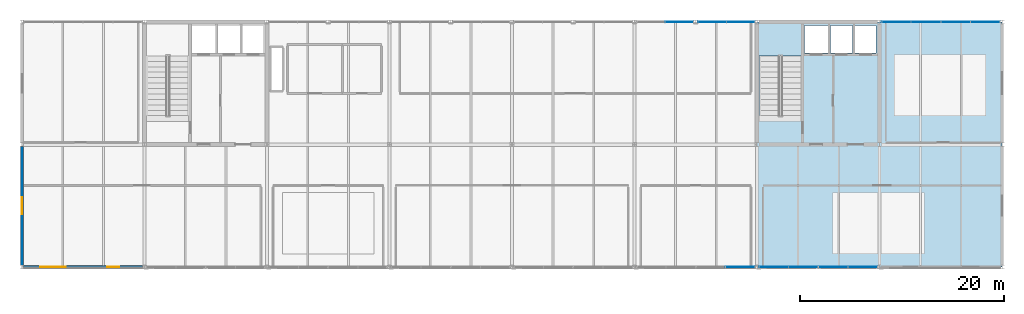
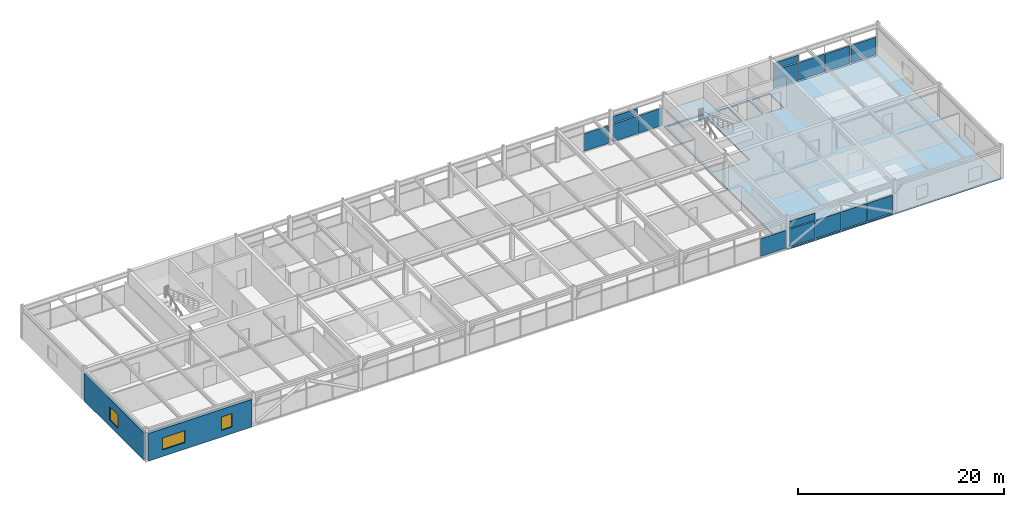
# One storey, part 35 of 40: 15 plates, 3 windows, 2 slabs, 2 walls, 3 openings, 6 elements without a shape of their own.
"""IFC4 building model written with IfcOpenShell, lengths in metres."""

from ifc_helpers import new_model, si_unit, direction, frame, frame_2d, origin, origin_2d, place, context, subcontext, project, spatial, polyline, rectangle, outline, extrude, material, layer, layer_set, type_object, element, fill, aggregate, save


model = new_model("IFC4")

# Units and contexts
model_context = context("Model", 3, precision=1e-05, world=origin(), true_north=direction((0.0, 1.0)))
body_context = subcontext(model_context, "Body", "Model", "MODEL_VIEW")
ifc_project = project(units=[si_unit("LENGTHUNIT", "METRE"), si_unit("AREAUNIT", "SQUARE_METRE"), si_unit("VOLUMEUNIT", "CUBIC_METRE"), si_unit("PLANEANGLEUNIT", "RADIAN"), si_unit("MASSUNIT", "GRAM", prefix="KILO")], contexts=[model_context])

# Site, building, storey
site_placement = place(None, origin())
site = spatial("IfcSite", under=ifc_project, at=site_placement, CompositionType="ELEMENT")
building_placement = place(site_placement, origin())
building = spatial("IfcBuilding", under=site, at=building_placement, Name="Girod Span Mobility Hub", CompositionType="ELEMENT")
storey_placement = place(building_placement, frame((0.0, 0.0, 53.60009765625)))
storey = spatial("IfcBuildingStorey", under=building, at=storey_placement, Name="L13", CompositionType="ELEMENT", Elevation=53.60009765625)

# Curtain wall, plate
ifc_material_1 = material(Name="Thermally Broken Anodised Aluminium", Category="aluminium")
curtain_wall_type_1 = type_object("IfcCurtainWallType", Name="CW-562X327", PredefinedType="USERDEFINED", material=ifc_material_1)
curtain_wall_1_placement = place(storey_placement, origin())
curtain_wall_1 = element("IfcCurtainWall", 1, at=curtain_wall_1_placement, inside=storey, type_object=curtain_wall_type_1, Name="Unitised Curtain Wall CW-L13-N09E L13", ObjectType="UNITISED CURTAIN WALL", PredefinedType="USERDEFINED")
ifc_material_2 = material(Name="Double Low-E Insulated Glazing", Category="glass")
ifc_layer_1 = layer(ifc_material_2, 0.048095703125)
ifc_layer_set_1 = layer_set([ifc_layer_1], Name="Double Low-E Insulated Glazing")
plate_type_1 = type_object("IfcPlateType", Name="PLT-SPN-2741X836X48", PredefinedType="CURTAIN_PANEL", material=ifc_layer_set_1)
plate_1_placement = place(storey_placement, frame((103.6005859375, 69.0, 2.35498046875), z_axis=(0.0, 0.0, 1.0), x_axis=(1.0, 0.0, 0.0)))
plate_1 = element("IfcPlate", 2, at=plate_1_placement, type_object=plate_type_1, Name="Spandrel Glazing Panel CW-L13-N09E-S1", PredefinedType="CURTAIN_PANEL", context=body_context, shape_type="SweptSolid", body=[
    extrude(rectangle(XDim=2.747314453125, YDim=0.048095703125, at=origin_2d()), origin(), (0.0, 0.0, 1.0), 0.7958984375),
])

ifc_material_3 = material(Name="Thermally Broken Anodised Aluminium", Category="aluminium")
curtain_wall_type_2 = type_object("IfcCurtainWallType", Name="CW-1164X327", PredefinedType="USERDEFINED", material=ifc_material_3)
curtain_wall_2_placement = place(storey_placement, origin())
curtain_wall_2 = element("IfcCurtainWall", 3, at=curtain_wall_2_placement, inside=storey, type_object=curtain_wall_type_2, Name="Unitised Curtain Wall CW-L13-S10 L13", ObjectType="UNITISED CURTAIN WALL", PredefinedType="USERDEFINED")
ifc_material_4 = material(Name="Double Low-E Insulated Glazing", Category="glass")
ifc_layer_2 = layer(ifc_material_4, 0.048095703125)
ifc_layer_set_2 = layer_set([ifc_layer_2], Name="Double Low-E Insulated Glazing")
plate_type_2 = type_object("IfcPlateType", Name="PLT-SPN-2839X836X48", PredefinedType="CURTAIN_PANEL", material=ifc_layer_set_2)
plate_2_placement = place(storey_placement, frame((109.636962890625, 45.0, 2.35498046875), z_axis=(0.0, 0.0, 1.0), x_axis=(1.0, 0.0, 0.0)))
plate_2 = element("IfcPlate", 4, at=plate_2_placement, type_object=plate_type_2, Name="Spandrel Glazing Panel CW-L13-S10-S1", PredefinedType="CURTAIN_PANEL", context=body_context, shape_type="SweptSolid", body=[
    extrude(rectangle(XDim=2.8447265625, YDim=0.048095703125, at=origin_2d()), origin(), (0.0, 0.0, 1.0), 0.7958984375),
])

curtain_wall_3_placement = place(storey_placement, origin())
curtain_wall_3 = element("IfcCurtainWall", 5, at=curtain_wall_3_placement, inside=storey, type_object=curtain_wall_type_2, Name="Unitised Curtain Wall CW-L13-N11 L13", ObjectType="UNITISED CURTAIN WALL", PredefinedType="USERDEFINED")
plate_3_placement = place(storey_placement, frame((121.636962890625, 69.0, 2.35498046875), z_axis=(0.0, 0.0, 1.0), x_axis=(1.0, 0.0, 0.0)))
plate_3 = element("IfcPlate", 6, at=plate_3_placement, type_object=plate_type_2, Name="Spandrel Glazing Panel CW-L13-N11-S1", PredefinedType="CURTAIN_PANEL", context=body_context, shape_type="SweptSolid", body=[
    extrude(rectangle(XDim=2.8447265625, YDim=0.048095703125, at=origin_2d()), origin(), (0.0, 0.0, 1.0), 0.7958984375),
])

curtain_wall_4_placement = place(storey_placement, origin())
curtain_wall_4 = element("IfcCurtainWall", 7, at=curtain_wall_4_placement, inside=storey, type_object=curtain_wall_type_1, Name="Unitised Curtain Wall CW-L13-N09W L13", ObjectType="UNITISED CURTAIN WALL", PredefinedType="USERDEFINED")
ifc_material_5 = material(Name="Double Low-E Insulated Glazing", Category="glass")
ifc_layer_3 = layer(ifc_material_5, 0.035888671875)
ifc_layer_set_3 = layer_set([ifc_layer_3], Name="Double Low-E Insulated Glazing")
plate_type_3 = type_object("IfcPlateType", Name="PLT-VIS-2741X2355X36", PredefinedType="CURTAIN_PANEL", material=ifc_layer_set_3)
plate_4_placement = place(storey_placement, frame((100.3994140625, 69.0, 0.139892578125), z_axis=(0.0, 0.0, 1.0), x_axis=(1.0, 0.0, 0.0)))
plate_4 = element("IfcPlate", 8, at=plate_4_placement, type_object=plate_type_3, Name="Vision Glazing Panel CW-L13-N09W-V2", PredefinedType="CURTAIN_PANEL", context=body_context, shape_type="SweptSolid", body=[
    extrude(rectangle(XDim=2.747314453125, YDim=0.035888671875, at=origin_2d()), origin(), (0.0, 0.0, 1.0), 2.09521484375),
])
aggregate(curtain_wall_4, [plate_4])

# Plate
plate_5_placement = place(storey_placement, frame((103.6005859375, 69.0, 0.139892578125), z_axis=(0.0, 0.0, 1.0), x_axis=(1.0, 0.0, 0.0)))
plate_5 = element("IfcPlate", 9, at=plate_5_placement, type_object=plate_type_3, Name="Vision Glazing Panel CW-L13-N09E-V1", PredefinedType="CURTAIN_PANEL", context=body_context, shape_type="SweptSolid", body=[
    extrude(rectangle(XDim=2.747314453125, YDim=0.035888671875, at=origin_2d()), origin(), (0.0, 0.0, 1.0), 2.09521484375),
])

plate_6_placement = place(storey_placement, frame((106.411865234375, 69.0, 0.139892578125), z_axis=(0.0, 0.0, 1.0), x_axis=(1.0, 0.0, 0.0)))
plate_6 = element("IfcPlate", 10, at=plate_6_placement, type_object=plate_type_3, Name="Vision Glazing Panel CW-L13-N09E-V2", PredefinedType="CURTAIN_PANEL", context=body_context, shape_type="SweptSolid", body=[
    extrude(rectangle(XDim=2.747314453125, YDim=0.035888671875, at=origin_2d()), origin(), (0.0, 0.0, 1.0), 2.09521484375),
])

aggregate(curtain_wall_1, [plate_5, plate_1, plate_6])

# Curtain wall, plate
curtain_wall_5_placement = place(storey_placement, origin())
curtain_wall_5 = element("IfcCurtainWall", 11, at=curtain_wall_5_placement, inside=storey, type_object=curtain_wall_type_2, Name="Unitised Curtain Wall CW-L13-S09 L13", ObjectType="UNITISED CURTAIN WALL", PredefinedType="USERDEFINED")
ifc_material_6 = material(Name="Double Low-E Insulated Glazing", Category="glass")
ifc_layer_4 = layer(ifc_material_6, 0.035888671875)
ifc_layer_set_4 = layer_set([ifc_layer_4], Name="Double Low-E Insulated Glazing")
plate_type_4 = type_object("IfcPlateType", Name="PLT-VIS-2839X2355X36", PredefinedType="CURTAIN_PANEL", material=ifc_layer_set_4)
plate_7_placement = place(storey_placement, frame((106.363037109375, 45.0, 0.139892578125), z_axis=(0.0, 0.0, 1.0), x_axis=(1.0, 0.0, 0.0)))
plate_7 = element("IfcPlate", 12, at=plate_7_placement, type_object=plate_type_4, Name="Vision Glazing Panel CW-L13-S09-V4", PredefinedType="CURTAIN_PANEL", context=body_context, shape_type="SweptSolid", body=[
    extrude(rectangle(XDim=2.8447265625, YDim=0.035888671875, at=origin_2d()), origin(), (0.0, 0.0, 1.0), 2.09521484375),
])
aggregate(curtain_wall_5, [plate_7])

# Plate
plate_8_placement = place(storey_placement, frame((109.636962890625, 45.0, 0.139892578125), z_axis=(0.0, 0.0, 1.0), x_axis=(1.0, 0.0, 0.0)))
plate_8 = element("IfcPlate", 13, at=plate_8_placement, type_object=plate_type_4, Name="Vision Glazing Panel CW-L13-S10-V1", PredefinedType="CURTAIN_PANEL", context=body_context, shape_type="SweptSolid", body=[
    extrude(rectangle(XDim=2.8447265625, YDim=0.035888671875, at=origin_2d()), origin(), (0.0, 0.0, 1.0), 2.09521484375),
])

plate_9_placement = place(storey_placement, frame((112.545654296875, 45.0, 0.139892578125), z_axis=(0.0, 0.0, 1.0), x_axis=(1.0, 0.0, 0.0)))
plate_9 = element("IfcPlate", 14, at=plate_9_placement, type_object=plate_type_4, Name="Vision Glazing Panel CW-L13-S10-V2", PredefinedType="CURTAIN_PANEL", context=body_context, shape_type="SweptSolid", body=[
    extrude(rectangle(XDim=2.8447265625, YDim=0.035888671875, at=origin_2d()), origin(), (0.0, 0.0, 1.0), 2.09521484375),
])

plate_10_placement = place(storey_placement, frame((115.454345703125, 45.0, 0.139892578125), z_axis=(0.0, 0.0, 1.0), x_axis=(1.0, 0.0, 0.0)))
plate_10 = element("IfcPlate", 15, at=plate_10_placement, type_object=plate_type_4, Name="Vision Glazing Panel CW-L13-S10-V3", PredefinedType="CURTAIN_PANEL", context=body_context, shape_type="SweptSolid", body=[
    extrude(rectangle(XDim=2.8447265625, YDim=0.035888671875, at=origin_2d()), origin(), (0.0, 0.0, 1.0), 2.09521484375),
])

plate_11_placement = place(storey_placement, frame((118.363037109375, 45.0, 0.139892578125), z_axis=(0.0, 0.0, 1.0), x_axis=(1.0, 0.0, 0.0)))
plate_11 = element("IfcPlate", 16, at=plate_11_placement, type_object=plate_type_4, Name="Vision Glazing Panel CW-L13-S10-V4", PredefinedType="CURTAIN_PANEL", context=body_context, shape_type="SweptSolid", body=[
    extrude(rectangle(XDim=2.8447265625, YDim=0.035888671875, at=origin_2d()), origin(), (0.0, 0.0, 1.0), 2.09521484375),
])

aggregate(curtain_wall_2, [plate_8, plate_2, plate_9, plate_10, plate_11])

plate_12_placement = place(storey_placement, frame((121.636962890625, 69.0, 0.139892578125), z_axis=(0.0, 0.0, 1.0), x_axis=(1.0, 0.0, 0.0)))
plate_12 = element("IfcPlate", 17, at=plate_12_placement, type_object=plate_type_4, Name="Vision Glazing Panel CW-L13-N11-V1", PredefinedType="CURTAIN_PANEL", context=body_context, shape_type="SweptSolid", body=[
    extrude(rectangle(XDim=2.8447265625, YDim=0.035888671875, at=origin_2d()), origin(), (0.0, 0.0, 1.0), 2.09521484375),
])

plate_13_placement = place(storey_placement, frame((124.545654296875, 69.0, 0.139892578125), z_axis=(0.0, 0.0, 1.0), x_axis=(1.0, 0.0, 0.0)))
plate_13 = element("IfcPlate", 18, at=plate_13_placement, type_object=plate_type_4, Name="Vision Glazing Panel CW-L13-N11-V2", PredefinedType="CURTAIN_PANEL", context=body_context, shape_type="SweptSolid", body=[
    extrude(rectangle(XDim=2.8447265625, YDim=0.035888671875, at=origin_2d()), origin(), (0.0, 0.0, 1.0), 2.09521484375),
])

plate_14_placement = place(storey_placement, frame((127.454345703125, 69.0, 0.139892578125), z_axis=(0.0, 0.0, 1.0), x_axis=(1.0, 0.0, 0.0)))
plate_14 = element("IfcPlate", 19, at=plate_14_placement, type_object=plate_type_4, Name="Vision Glazing Panel CW-L13-N11-V3", PredefinedType="CURTAIN_PANEL", context=body_context, shape_type="SweptSolid", body=[
    extrude(rectangle(XDim=2.8447265625, YDim=0.035888671875, at=origin_2d()), origin(), (0.0, 0.0, 1.0), 2.09521484375),
])

plate_15_placement = place(storey_placement, frame((130.363037109375, 69.0, 0.139892578125), z_axis=(0.0, 0.0, 1.0), x_axis=(1.0, 0.0, 0.0)))
plate_15 = element("IfcPlate", 20, at=plate_15_placement, type_object=plate_type_4, Name="Vision Glazing Panel CW-L13-N11-V4", PredefinedType="CURTAIN_PANEL", context=body_context, shape_type="SweptSolid", body=[
    extrude(rectangle(XDim=2.8447265625, YDim=0.035888671875, at=origin_2d()), origin(), (0.0, 0.0, 1.0), 2.09521484375),
])

aggregate(curtain_wall_3, [plate_12, plate_3, plate_13, plate_14, plate_15])

# Slab
ifc_material_7 = material(Name="Concrete C40/50", Category="concrete")
ifc_layer_5 = layer(ifc_material_7, 0.155029296875)
ifc_layer_set_5 = layer_set([ifc_layer_5], Name="Concrete C40/50")
slab_type_1 = type_object("IfcSlabType", Name="SL-FLR-155", PredefinedType="FLOOR", material=ifc_layer_set_5)
slab_1_placement = place(storey_placement, frame((0.0, 0.0, -0.155029296875)))
element("IfcSlab", 21, at=slab_1_placement, inside=storey, type_object=slab_type_1, Name="Floor Slab L13 Sector E", PredefinedType="FLOOR", context=body_context, shape_type="SweptSolid", body=[
    extrude(outline(polyline([(132.0, 69.0), (132.0, 45.0), (108.0, 45.0), (108.0, 69.0), (132.0, 69.0)]), holes=[polyline([(108.219970703125, 59.8349609375), (112.340087890625, 59.8349609375), (112.340087890625, 68.820068359375), (108.219970703125, 68.820068359375), (108.219970703125, 59.8349609375)]), polyline([(112.64990234375, 65.949951171875), (114.949951171875, 65.949951171875), (114.949951171875, 68.64990234375), (112.64990234375, 68.64990234375), (112.64990234375, 65.949951171875)]), polyline([(115.199951171875, 68.64990234375), (115.199951171875, 65.949951171875), (117.35009765625, 65.949951171875), (117.35009765625, 68.64990234375), (115.199951171875, 68.64990234375)]), polyline([(117.60009765625, 68.64990234375), (117.60009765625, 65.949951171875), (119.64990234375, 65.949951171875), (119.64990234375, 68.64990234375), (117.60009765625, 68.64990234375)])]), origin(), (0.0, 0.0, 1.0), 0.155029296875),
])

# Stair, slab
ifc_material_8 = material(Name="Concrete C40/50", Category="concrete")
stair_type = type_object("IfcStairType", Name="STR-4000-W1860", PredefinedType="HALF_TURN_STAIR", material=ifc_material_8)
stair_placement = place(storey_placement, origin())
stair = element("IfcStair", 22, at=stair_placement, inside=storey, type_object=stair_type, Name="Exit Stair ST-2 L13", PredefinedType="HALF_TURN_STAIR")
ifc_material_9 = material(Name="Concrete C40/50", Category="concrete")
ifc_layer_6 = layer(ifc_material_9, 0.35498046875)
ifc_layer_set_6 = layer_set([ifc_layer_6], Name="Concrete C40/50")
slab_type_2 = type_object("IfcSlabType", Name="SL-LND-355", PredefinedType="LANDING", material=ifc_layer_set_6)
slab_2_placement = place(storey_placement, frame((0.0, 0.0, 1.64501953125)))
slab_2 = element("IfcSlab", 23, at=slab_2_placement, type_object=slab_type_2, Name="Stair ST-2 Half-Landing L13", PredefinedType="LANDING", context=body_context, shape_type="SweptSolid", body=[
    extrude(outline(polyline([(112.3349609375, 65.68603515625), (112.3349609375, 68.8349609375), (108.1650390625, 68.8349609375), (108.1650390625, 65.68603515625), (112.3349609375, 65.68603515625)])), origin(), (0.0, 0.0, 1.0), 0.35498046875),
])
aggregate(stair, [slab_2])

# Wall, openings, windows
ifc_material_10 = material(Name="Precast Architectural Concrete C40/50", Category="concrete")
ifc_layer_7 = layer(ifc_material_10, 0.27001953125)
ifc_layer_set_7 = layer_set([ifc_layer_7], Name="Precast Architectural Concrete C40/50")
wall_type = type_object("IfcWallType", Name="W-EXT-270", PredefinedType="SOLIDWALL", material=ifc_layer_set_7)
wall_1_placement = place(storey_placement, frame((36.1826171875, 45.0, 0.0), z_axis=(0.0, 0.0, 1.0), x_axis=(1.0, 0.0, 0.0)))
wall_1 = element("IfcWall", 24, at=wall_1_placement, inside=storey, type_object=wall_type, Name="Office Insulated Facade Wall S-4 L13", PredefinedType="SOLIDWALL", context=body_context, shape_type="SweptSolid", body=[
    extrude(rectangle(XDim=11.634765625, YDim=0.27001953125, at=frame_2d((5.8173828125, 0.0))), origin(), (0.0, 0.0, 1.0), 3.27099609375),
])
opening_1_placement = place(wall_1_placement, frame((1.610107421875, 0.0, 0.780029296875)))
opening_1 = element("IfcOpeningElement", 25, at=opening_1_placement, cuts=wall_1, Name="Opening W-L13-S3A", PredefinedType="OPENING", context=body_context, shape_type="SweptSolid", body=[
    extrude(rectangle(XDim=2.47998046875, YDim=1.419921875, at=frame_2d((1.239990234375, 0.7099609375))), frame((0.0, 0.14990234375, 0.0), z_axis=(0.0, -1.0, 0.0), x_axis=(1.0, 0.0, 0.0)), (0.0, 0.0, 1.0), 0.300048828125),
])
opening_2_placement = place(wall_1_placement, frame((8.195068359375, 0.0, 0.780029296875)))
opening_2 = element("IfcOpeningElement", 26, at=opening_2_placement, cuts=wall_1, Name="Opening W-L13-S3B", PredefinedType="OPENING", context=body_context, shape_type="SweptSolid", body=[
    extrude(rectangle(XDim=1.179931640625, YDim=1.580078125, at=frame_2d((0.58984375, 0.7900390625))), frame((0.0, 0.14990234375, 0.0), z_axis=(0.0, -1.0, 0.0), x_axis=(1.0, 0.0, 0.0)), (0.0, 0.0, 1.0), 0.300048828125),
])
ifc_material_11 = material(Name="Double Low-E Insulated Glazing", Category="glass")
window_type_1 = type_object("IfcWindowType", Name="WN-20", PartitioningType="DOUBLE_PANEL_VERTICAL", PredefinedType="WINDOW", material=ifc_material_11)
window_1_placement = place(opening_1_placement, origin())
window_1 = element("IfcWindow", 27, at=window_1_placement, inside=storey, type_object=window_type_1, Name="Office Window WN-20", OverallHeight=1.419921875, OverallWidth=2.47998046875, PartitioningType="DOUBLE_PANEL_VERTICAL", PredefinedType="WINDOW", context=body_context, shape_type="SweptSolid", body=[
    extrude(rectangle(XDim=2.47998046875, YDim=1.419921875, at=frame_2d((1.239990234375, 0.7099609375))), frame((0.0, 0.030029296875, 0.0), z_axis=(0.0, -1.0, 0.0), x_axis=(1.0, 0.0, 0.0)), (0.0, 0.0, 1.0), 0.06005859375),
])
fill(opening_1, window_1)
ifc_material_12 = material(Name="Double Low-E Insulated Glazing", Category="glass")
window_type_2 = type_object("IfcWindowType", Name="WN-21", PartitioningType="SINGLE_PANEL", PredefinedType="WINDOW", material=ifc_material_12)
window_2_placement = place(opening_2_placement, origin())
window_2 = element("IfcWindow", 28, at=window_2_placement, inside=storey, type_object=window_type_2, Name="Office Window WN-21", OverallHeight=1.580078125, OverallWidth=1.179931640625, PartitioningType="SINGLE_PANEL", PredefinedType="WINDOW", context=body_context, shape_type="SweptSolid", body=[
    extrude(rectangle(XDim=1.179931640625, YDim=1.580078125, at=frame_2d((0.58984375, 0.7900390625))), frame((0.0, 0.030029296875, 0.0), z_axis=(0.0, -1.0, 0.0), x_axis=(1.0, 0.0, 0.0)), (0.0, 0.0, 1.0), 0.06005859375),
])
fill(opening_2, window_2)

# Wall, opening, window
wall_2_placement = place(storey_placement, frame((36.0, 45.176025390625, 0.0), z_axis=(0.0, 0.0, 1.0), x_axis=(0.0, 1.0, 0.0)))
wall_2 = element("IfcWall", 29, at=wall_2_placement, inside=storey, type_object=wall_type, Name="End Facade Insulated Wall W-D L13", PredefinedType="SOLIDWALL", context=body_context, shape_type="SweptSolid", body=[
    extrude(rectangle(XDim=11.64794921875, YDim=0.27001953125, at=frame_2d((5.823974609375, 0.0))), origin(), (0.0, 0.0, 1.0), 3.27099609375),
])
opening_3_placement = place(wall_2_placement, frame((4.993896484375, 0.0, 0.780029296875)))
opening_3 = element("IfcOpeningElement", 30, at=opening_3_placement, cuts=wall_2, Name="Opening W-L13-W3", PredefinedType="OPENING", context=body_context, shape_type="SweptSolid", body=[
    extrude(rectangle(XDim=1.659912109375, YDim=1.580078125, at=frame_2d((0.830078125, 0.7900390625))), frame((0.0, 0.14990234375, 0.0), z_axis=(0.0, -1.0, 0.0), x_axis=(1.0, 0.0, 0.0)), (0.0, 0.0, 1.0), 0.300048828125),
])
ifc_material_13 = material(Name="Double Low-E Insulated Glazing", Category="glass")
window_type_3 = type_object("IfcWindowType", Name="WN-24", PartitioningType="SINGLE_PANEL", PredefinedType="WINDOW", material=ifc_material_13)
window_3_placement = place(opening_3_placement, origin())
window_3 = element("IfcWindow", 31, at=window_3_placement, inside=storey, type_object=window_type_3, Name="End Office Window WN-24", OverallHeight=1.580078125, OverallWidth=1.659912109375, PartitioningType="SINGLE_PANEL", PredefinedType="WINDOW", context=body_context, shape_type="SweptSolid", body=[
    extrude(rectangle(XDim=1.659912109375, YDim=1.580078125, at=frame_2d((0.830078125, 0.7900390625))), frame((0.0, 0.030029296875, 0.0), z_axis=(0.0, -1.0, 0.0), x_axis=(1.0, 0.0, 0.0)), (0.0, 0.0, 1.0), 0.06005859375),
])
fill(opening_3, window_3)

save(model, "model.ifc")
